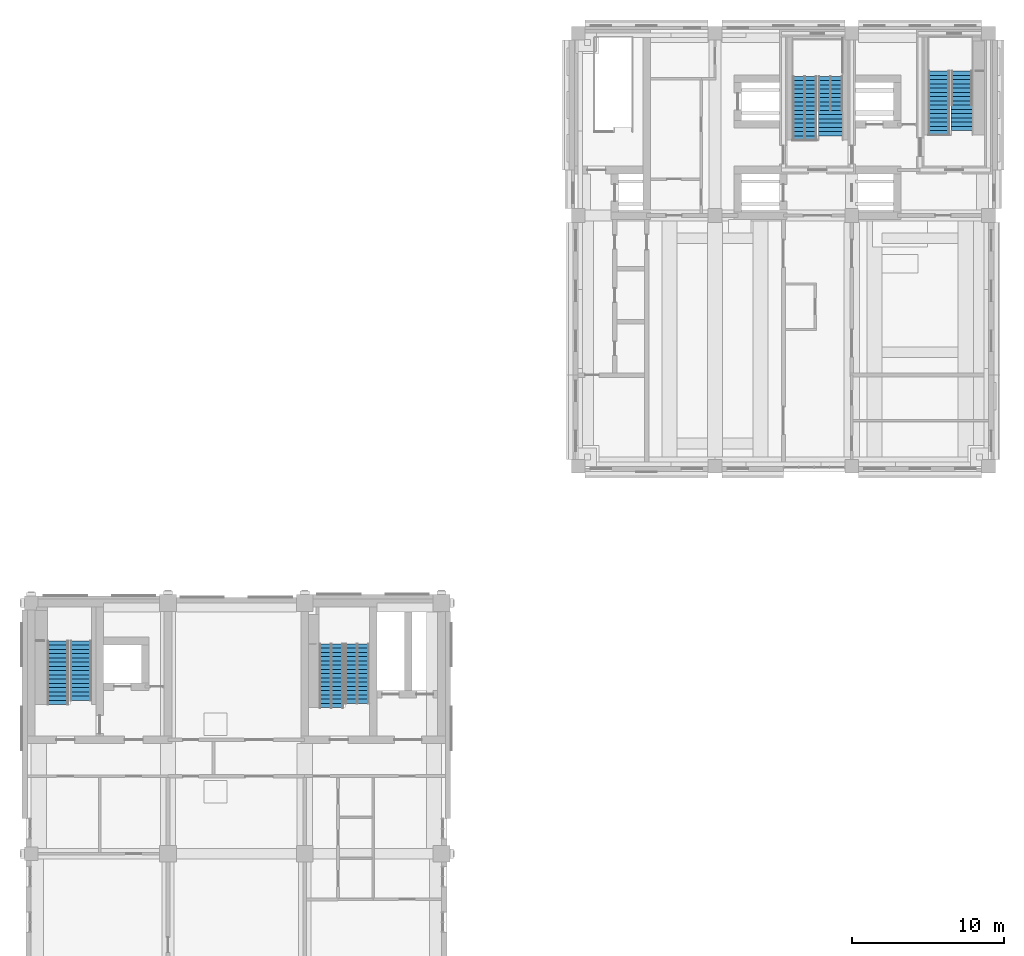
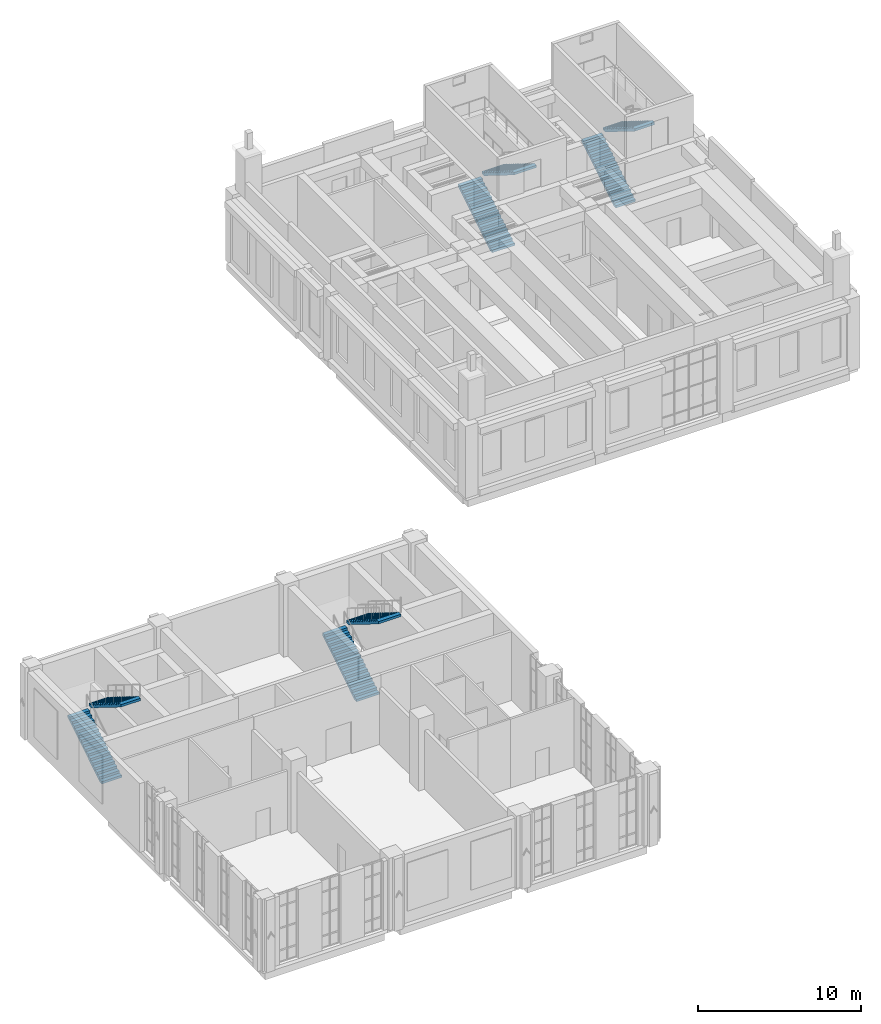
# One storey, part 18 of 22: 8 stair flights, 4 elements without a shape of their own.
"""IFC4 building model written with IfcOpenShell, lengths in metres."""

from ifc_helpers import new_model, si_unit, direction, frame, origin, place, context, subcontext, project, spatial, polyline, outline, extrude, material, type_object, element, aggregate, save


model = new_model("IFC4")

# Units and contexts
model_context = context("Model", 3, precision=1e-05, world=origin(), true_north=direction((0.0, 1.0)))
body_context = subcontext(model_context, "Body", "Model", "MODEL_VIEW")
ifc_project = project(units=[si_unit("LENGTHUNIT", "METRE"), si_unit("AREAUNIT", "SQUARE_METRE"), si_unit("VOLUMEUNIT", "CUBIC_METRE"), si_unit("PLANEANGLEUNIT", "RADIAN"), si_unit("MASSUNIT", "GRAM", prefix="KILO")], contexts=[model_context])

# Site, building, storey
site_placement = place(None, origin())
site = spatial("IfcSite", under=ifc_project, at=site_placement, CompositionType="ELEMENT")
building_placement = place(site_placement, origin())
building = spatial("IfcBuilding", under=site, at=building_placement, Name="Aurelan Courthouse", CompositionType="ELEMENT")
storey_placement = place(building_placement, frame((0.0, 0.0, 39.0)))
storey = spatial("IfcBuildingStorey", under=building, at=storey_placement, Name="L07", CompositionType="ELEMENT", Elevation=39.0)

# Stair, stair flights
ifc_material = material(Name="Concrete C30", Category="concrete")
stair_type_1 = type_object("IfcStairType", Name="Half-turn stair 1400 wide 31 risers", PredefinedType="HALF_TURN_STAIR", material=ifc_material)
stair_1_placement = place(storey_placement, origin())
stair_1 = element("IfcStair", 1, at=stair_1_placement, inside=storey, type_object=stair_type_1, Name="Stair ST-2E-L07", PredefinedType="HALF_TURN_STAIR")
stair_flight_type_1 = type_object("IfcStairFlightType", Name="Stair flight 1400 wide 16 risers", PredefinedType="STRAIGHT", material=ifc_material)
stair_flight_1_placement = place(storey_placement, frame((59.739990234375, 59.31005859375, 0.0), z_axis=(0.0, 0.0, 1.0), x_axis=(0.0, 1.0, 0.0)))
stair_flight_1 = element("IfcStairFlight", 2, at=stair_flight_1_placement, type_object=stair_flight_type_1, Name="Stair ST-2E-L07 flight 1", NumberOfRisers=16, NumberOfTreads=15, PredefinedType="STRAIGHT", RiserHeight=0.174193548, TreadLength=0.28, context=body_context, shape_type="SweptSolid", body=[
    extrude(outline(polyline([(0.0, 0.0), (0.0, 0.174072265625), (0.280029296875, 0.174072265625), (0.280029296875, 0.348388671875), (0.56005859375, 0.348388671875), (0.56005859375, 0.5224609375), (0.840087890625, 0.5224609375), (0.840087890625, 0.69677734375), (1.1201171875, 0.69677734375), (1.1201171875, 0.870849609375), (1.39990234375, 0.870849609375), (1.39990234375, 1.045166015625), (1.679931640625, 1.045166015625), (1.679931640625, 1.21923828125), (1.9599609375, 1.21923828125), (1.9599609375, 1.3935546875), (2.239990234375, 1.3935546875), (2.239990234375, 1.567626953125), (2.52001953125, 1.567626953125), (2.52001953125, 1.741943359375), (2.800048828125, 1.741943359375), (2.800048828125, 1.916015625), (3.080078125, 1.916015625), (3.080078125, 2.09033203125), (3.360107421875, 2.09033203125), (3.360107421875, 2.264404296875), (3.639892578125, 2.264404296875), (3.639892578125, 2.438720703125), (3.919921875, 2.438720703125), (3.919921875, 2.61279296875), (4.199951171875, 2.61279296875), (4.199951171875, 2.787109375), (4.199951171875, 2.436279296875), (0.28369140625, 0.0), (0.0, 0.0)])), frame((0.0, 0.699951171875, 0.0), z_axis=(0.0, -1.0, 0.0), x_axis=(1.0, 0.0, 0.0)), (0.0, 0.0, 1.0), 1.39990234375),
])
stair_flight_2_placement = place(storey_placement, frame((61.239990234375, 63.510009765625, 2.787109375), z_axis=(0.0, 0.0, 1.0), x_axis=(0.0, -1.0, 0.0)))
stair_flight_2 = element("IfcStairFlight", 3, at=stair_flight_2_placement, type_object=stair_flight_type_1, Name="Stair ST-2E-L07 flight 2", NumberOfRisers=15, NumberOfTreads=14, PredefinedType="STRAIGHT", RiserHeight=0.174193548, TreadLength=0.28, context=body_context, shape_type="SweptSolid", body=[
    extrude(outline(polyline([(0.0, 0.0), (0.0, 0.174072265625), (0.280029296875, 0.174072265625), (0.280029296875, 0.348388671875), (0.56005859375, 0.348388671875), (0.56005859375, 0.5224609375), (0.840087890625, 0.5224609375), (0.840087890625, 0.69677734375), (1.1201171875, 0.69677734375), (1.1201171875, 0.870849609375), (1.39990234375, 0.870849609375), (1.39990234375, 1.045166015625), (1.679931640625, 1.045166015625), (1.679931640625, 1.21923828125), (1.9599609375, 1.21923828125), (1.9599609375, 1.3935546875), (2.239990234375, 1.3935546875), (2.239990234375, 1.567626953125), (2.52001953125, 1.567626953125), (2.52001953125, 1.741943359375), (2.800048828125, 1.741943359375), (2.800048828125, 1.916015625), (3.080078125, 1.916015625), (3.080078125, 2.09033203125), (3.360107421875, 2.09033203125), (3.360107421875, 2.264404296875), (3.639892578125, 2.264404296875), (3.639892578125, 2.438720703125), (3.919921875, 2.438720703125), (3.919921875, 2.61279296875), (3.919921875, 2.26220703125), (0.28369140625, 0.0), (0.0, 0.0)])), frame((0.0, 0.699951171875, 0.0), z_axis=(0.0, -1.0, 0.0), x_axis=(1.0, 0.0, 0.0)), (0.0, 0.0, 1.0), 1.39990234375),
])
aggregate(stair_1, [stair_flight_1, stair_flight_2])

stair_2_placement = place(storey_placement, origin())
stair_2 = element("IfcStair", 4, at=stair_2_placement, inside=storey, type_object=stair_type_1, Name="Stair ST-5B-L07", PredefinedType="HALF_TURN_STAIR")
stair_flight_3_placement = place(storey_placement, frame((1.760009765625, 21.81005859375, 0.0), z_axis=(0.0, 0.0, 1.0), x_axis=(0.0, 1.0, 0.0)))
stair_flight_3 = element("IfcStairFlight", 5, at=stair_flight_3_placement, type_object=stair_flight_type_1, Name="Stair ST-5B-L07 flight 1", NumberOfRisers=16, NumberOfTreads=15, PredefinedType="STRAIGHT", RiserHeight=0.174193548, TreadLength=0.28, context=body_context, shape_type="SweptSolid", body=[
    extrude(outline(polyline([(0.0, 0.0), (0.0, 0.174072265625), (0.280029296875, 0.174072265625), (0.280029296875, 0.348388671875), (0.56005859375, 0.348388671875), (0.56005859375, 0.5224609375), (0.840087890625, 0.5224609375), (0.840087890625, 0.69677734375), (1.1201171875, 0.69677734375), (1.1201171875, 0.870849609375), (1.39990234375, 0.870849609375), (1.39990234375, 1.045166015625), (1.679931640625, 1.045166015625), (1.679931640625, 1.21923828125), (1.9599609375, 1.21923828125), (1.9599609375, 1.3935546875), (2.239990234375, 1.3935546875), (2.239990234375, 1.567626953125), (2.52001953125, 1.567626953125), (2.52001953125, 1.741943359375), (2.800048828125, 1.741943359375), (2.800048828125, 1.916015625), (3.080078125, 1.916015625), (3.080078125, 2.09033203125), (3.360107421875, 2.09033203125), (3.360107421875, 2.264404296875), (3.639892578125, 2.264404296875), (3.639892578125, 2.438720703125), (3.919921875, 2.438720703125), (3.919921875, 2.61279296875), (4.199951171875, 2.61279296875), (4.199951171875, 2.787109375), (4.199951171875, 2.436279296875), (0.28369140625, 0.0), (0.0, 0.0)])), frame((0.0, 0.699951171875, 0.0), z_axis=(0.0, -1.0, 0.0), x_axis=(1.0, 0.0, 0.0)), (0.0, 0.0, 1.0), 1.39990234375),
])
stair_flight_4_placement = place(storey_placement, frame((3.260009765625, 26.010009765625, 2.787109375), z_axis=(0.0, 0.0, 1.0), x_axis=(0.0, -1.0, 0.0)))
stair_flight_4 = element("IfcStairFlight", 6, at=stair_flight_4_placement, type_object=stair_flight_type_1, Name="Stair ST-5B-L07 flight 2", NumberOfRisers=15, NumberOfTreads=14, PredefinedType="STRAIGHT", RiserHeight=0.174193548, TreadLength=0.28, context=body_context, shape_type="SweptSolid", body=[
    extrude(outline(polyline([(0.0, 0.0), (0.0, 0.174072265625), (0.280029296875, 0.174072265625), (0.280029296875, 0.348388671875), (0.56005859375, 0.348388671875), (0.56005859375, 0.5224609375), (0.840087890625, 0.5224609375), (0.840087890625, 0.69677734375), (1.1201171875, 0.69677734375), (1.1201171875, 0.870849609375), (1.39990234375, 0.870849609375), (1.39990234375, 1.045166015625), (1.679931640625, 1.045166015625), (1.679931640625, 1.21923828125), (1.9599609375, 1.21923828125), (1.9599609375, 1.3935546875), (2.239990234375, 1.3935546875), (2.239990234375, 1.567626953125), (2.52001953125, 1.567626953125), (2.52001953125, 1.741943359375), (2.800048828125, 1.741943359375), (2.800048828125, 1.916015625), (3.080078125, 1.916015625), (3.080078125, 2.09033203125), (3.360107421875, 2.09033203125), (3.360107421875, 2.264404296875), (3.639892578125, 2.264404296875), (3.639892578125, 2.438720703125), (3.919921875, 2.438720703125), (3.919921875, 2.61279296875), (3.919921875, 2.26220703125), (0.28369140625, 0.0), (0.0, 0.0)])), frame((0.0, 0.699951171875, 0.0), z_axis=(0.0, -1.0, 0.0), x_axis=(1.0, 0.0, 0.0)), (0.0, 0.0, 1.0), 1.39990234375),
])
aggregate(stair_2, [stair_flight_3, stair_flight_4])

stair_type_2 = type_object("IfcStairType", Name="Half-turn stair 1600 wide 31 risers", PredefinedType="HALF_TURN_STAIR", material=ifc_material)
stair_3_placement = place(storey_placement, origin())
stair_3 = element("IfcStair", 7, at=stair_3_placement, inside=storey, type_object=stair_type_2, Name="Stair ST-2A-L07", PredefinedType="HALF_TURN_STAIR")
stair_flight_type_2 = type_object("IfcStairFlightType", Name="Stair flight 1600 wide 16 risers", PredefinedType="STRAIGHT", material=ifc_material)
stair_flight_5_placement = place(storey_placement, frame((50.89990234375, 58.9599609375, 0.0), z_axis=(0.0, 0.0, 1.0), x_axis=(0.0, 1.0, 0.0)))
stair_flight_5 = element("IfcStairFlight", 8, at=stair_flight_5_placement, type_object=stair_flight_type_2, Name="Stair ST-2A-L07 flight 1", NumberOfRisers=16, NumberOfTreads=15, PredefinedType="STRAIGHT", RiserHeight=0.174193548, TreadLength=0.28, context=body_context, shape_type="SweptSolid", body=[
    extrude(outline(polyline([(0.0, 0.0), (0.0, 0.174072265625), (0.280029296875, 0.174072265625), (0.280029296875, 0.348388671875), (0.56005859375, 0.348388671875), (0.56005859375, 0.5224609375), (0.840087890625, 0.5224609375), (0.840087890625, 0.69677734375), (1.1201171875, 0.69677734375), (1.1201171875, 0.870849609375), (1.39990234375, 0.870849609375), (1.39990234375, 1.045166015625), (1.679931640625, 1.045166015625), (1.679931640625, 1.21923828125), (1.9599609375, 1.21923828125), (1.9599609375, 1.3935546875), (2.239990234375, 1.3935546875), (2.239990234375, 1.567626953125), (2.52001953125, 1.567626953125), (2.52001953125, 1.741943359375), (2.800048828125, 1.741943359375), (2.800048828125, 1.916015625), (3.080078125, 1.916015625), (3.080078125, 2.09033203125), (3.360107421875, 2.09033203125), (3.360107421875, 2.264404296875), (3.639892578125, 2.264404296875), (3.639892578125, 2.438720703125), (3.919921875, 2.438720703125), (3.919921875, 2.61279296875), (4.199951171875, 2.61279296875), (4.199951171875, 2.787109375), (4.199951171875, 2.436279296875), (0.28369140625, 0.0), (0.0, 0.0)])), frame((0.0, 0.800048828125, 0.0), z_axis=(0.0, -1.0, 0.0), x_axis=(1.0, 0.0, 0.0)), (0.0, 0.0, 1.0), 1.60009765625),
])
stair_flight_6_placement = place(storey_placement, frame((52.60009765625, 63.159912109375, 2.787109375), z_axis=(0.0, 0.0, 1.0), x_axis=(0.0, -1.0, 0.0)))
stair_flight_6 = element("IfcStairFlight", 9, at=stair_flight_6_placement, type_object=stair_flight_type_2, Name="Stair ST-2A-L07 flight 2", NumberOfRisers=15, NumberOfTreads=14, PredefinedType="STRAIGHT", RiserHeight=0.174193548, TreadLength=0.28, context=body_context, shape_type="SweptSolid", body=[
    extrude(outline(polyline([(0.0, 0.0), (0.0, 0.174072265625), (0.280029296875, 0.174072265625), (0.280029296875, 0.348388671875), (0.56005859375, 0.348388671875), (0.56005859375, 0.5224609375), (0.840087890625, 0.5224609375), (0.840087890625, 0.69677734375), (1.1201171875, 0.69677734375), (1.1201171875, 0.870849609375), (1.39990234375, 0.870849609375), (1.39990234375, 1.045166015625), (1.679931640625, 1.045166015625), (1.679931640625, 1.21923828125), (1.9599609375, 1.21923828125), (1.9599609375, 1.3935546875), (2.239990234375, 1.3935546875), (2.239990234375, 1.567626953125), (2.52001953125, 1.567626953125), (2.52001953125, 1.741943359375), (2.800048828125, 1.741943359375), (2.800048828125, 1.916015625), (3.080078125, 1.916015625), (3.080078125, 2.09033203125), (3.360107421875, 2.09033203125), (3.360107421875, 2.264404296875), (3.639892578125, 2.264404296875), (3.639892578125, 2.438720703125), (3.919921875, 2.438720703125), (3.919921875, 2.61279296875), (3.919921875, 2.26220703125), (0.28369140625, 0.0), (0.0, 0.0)])), frame((0.0, 0.800048828125, 0.0), z_axis=(0.0, -1.0, 0.0), x_axis=(1.0, 0.0, 0.0)), (0.0, 0.0, 1.0), 1.60009765625),
])
aggregate(stair_3, [stair_flight_5, stair_flight_6])

stair_4_placement = place(storey_placement, origin())
stair_4 = element("IfcStair", 10, at=stair_4_placement, inside=storey, type_object=stair_type_2, Name="Stair ST-5A-L07", PredefinedType="HALF_TURN_STAIR")
stair_flight_7_placement = place(storey_placement, frame((19.75, 21.610107421875, 0.0), z_axis=(0.0, 0.0, 1.0), x_axis=(0.0, 1.0, 0.0)))
stair_flight_7 = element("IfcStairFlight", 11, at=stair_flight_7_placement, type_object=stair_flight_type_2, Name="Stair ST-5A-L07 flight 1", NumberOfRisers=16, NumberOfTreads=15, PredefinedType="STRAIGHT", RiserHeight=0.174193548, TreadLength=0.28, context=body_context, shape_type="SweptSolid", body=[
    extrude(outline(polyline([(0.0, 0.0), (0.0, 0.174072265625), (0.280029296875, 0.174072265625), (0.280029296875, 0.348388671875), (0.56005859375, 0.348388671875), (0.56005859375, 0.5224609375), (0.840087890625, 0.5224609375), (0.840087890625, 0.69677734375), (1.1201171875, 0.69677734375), (1.1201171875, 0.870849609375), (1.39990234375, 0.870849609375), (1.39990234375, 1.045166015625), (1.679931640625, 1.045166015625), (1.679931640625, 1.21923828125), (1.9599609375, 1.21923828125), (1.9599609375, 1.3935546875), (2.239990234375, 1.3935546875), (2.239990234375, 1.567626953125), (2.52001953125, 1.567626953125), (2.52001953125, 1.741943359375), (2.800048828125, 1.741943359375), (2.800048828125, 1.916015625), (3.080078125, 1.916015625), (3.080078125, 2.09033203125), (3.360107421875, 2.09033203125), (3.360107421875, 2.264404296875), (3.639892578125, 2.264404296875), (3.639892578125, 2.438720703125), (3.919921875, 2.438720703125), (3.919921875, 2.61279296875), (4.199951171875, 2.61279296875), (4.199951171875, 2.787109375), (4.199951171875, 2.436279296875), (0.28369140625, 0.0), (0.0, 0.0)])), frame((0.0, 0.800048828125, 0.0), z_axis=(0.0, -1.0, 0.0), x_axis=(1.0, 0.0, 0.0)), (0.0, 0.0, 1.0), 1.60009765625),
])
stair_flight_8_placement = place(storey_placement, frame((21.449951171875, 25.81005859375, 2.787109375), z_axis=(0.0, 0.0, 1.0), x_axis=(0.0, -1.0, 0.0)))
stair_flight_8 = element("IfcStairFlight", 12, at=stair_flight_8_placement, type_object=stair_flight_type_2, Name="Stair ST-5A-L07 flight 2", NumberOfRisers=15, NumberOfTreads=14, PredefinedType="STRAIGHT", RiserHeight=0.174193548, TreadLength=0.28, context=body_context, shape_type="SweptSolid", body=[
    extrude(outline(polyline([(0.0, 0.0), (0.0, 0.174072265625), (0.280029296875, 0.174072265625), (0.280029296875, 0.348388671875), (0.56005859375, 0.348388671875), (0.56005859375, 0.5224609375), (0.840087890625, 0.5224609375), (0.840087890625, 0.69677734375), (1.1201171875, 0.69677734375), (1.1201171875, 0.870849609375), (1.39990234375, 0.870849609375), (1.39990234375, 1.045166015625), (1.679931640625, 1.045166015625), (1.679931640625, 1.21923828125), (1.9599609375, 1.21923828125), (1.9599609375, 1.3935546875), (2.239990234375, 1.3935546875), (2.239990234375, 1.567626953125), (2.52001953125, 1.567626953125), (2.52001953125, 1.741943359375), (2.800048828125, 1.741943359375), (2.800048828125, 1.916015625), (3.080078125, 1.916015625), (3.080078125, 2.09033203125), (3.360107421875, 2.09033203125), (3.360107421875, 2.264404296875), (3.639892578125, 2.264404296875), (3.639892578125, 2.438720703125), (3.919921875, 2.438720703125), (3.919921875, 2.61279296875), (3.919921875, 2.26220703125), (0.28369140625, 0.0), (0.0, 0.0)])), frame((0.0, 0.800048828125, 0.0), z_axis=(0.0, -1.0, 0.0), x_axis=(1.0, 0.0, 0.0)), (0.0, 0.0, 1.0), 1.60009765625),
])
aggregate(stair_4, [stair_flight_7, stair_flight_8])

save(model, "model.ifc")
